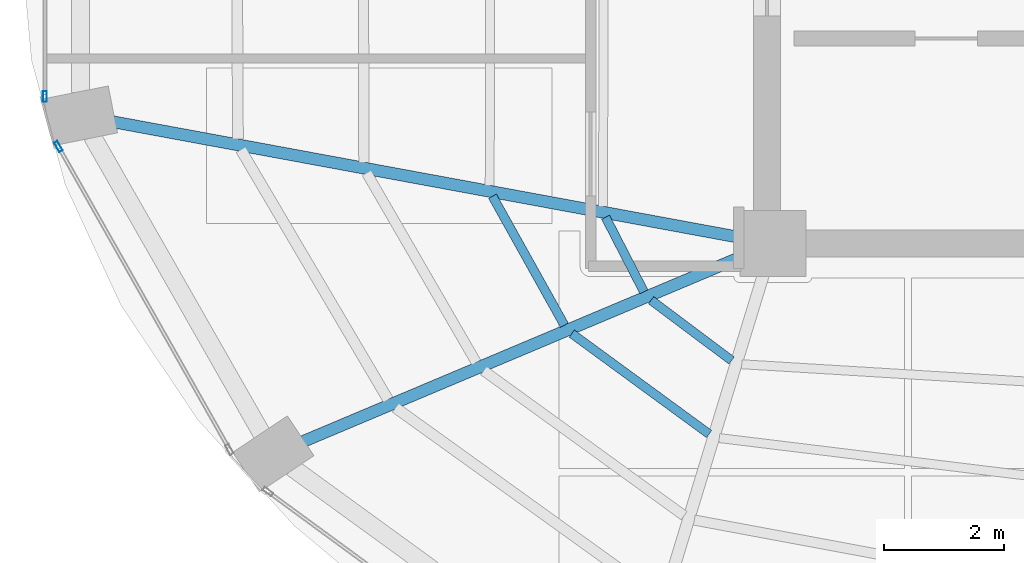
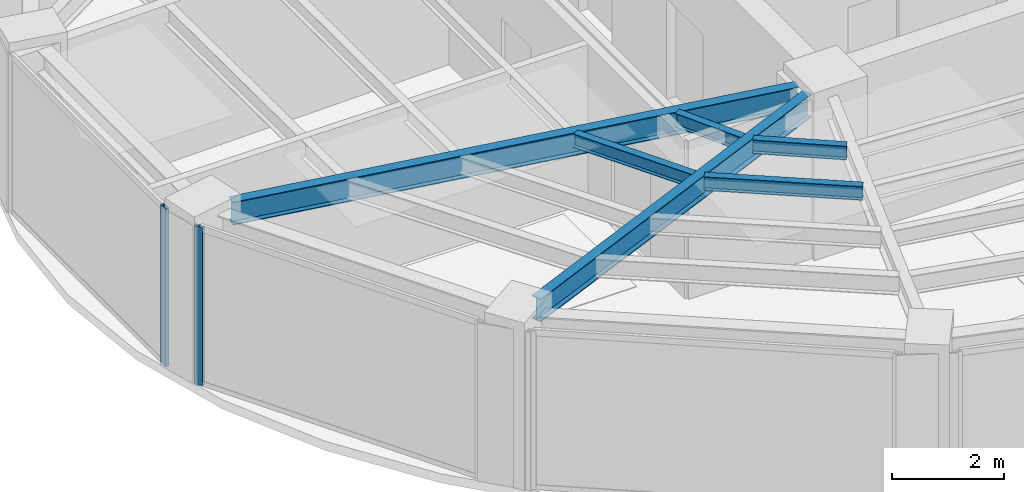
# One storey, part 4 of 23: 6 beams, 2 members, 2 elements without a shape of their own.
"""IFC4 building model written with IfcOpenShell, lengths in metres."""

from ifc_helpers import new_model, si_unit, direction, frame, origin, origin_2d, place, context, subcontext, project, spatial, hollow_rectangle, i_section, extrude, material, layer, layer_set, material_profile, profile_set, type_object, element, aggregate, save


model = new_model("IFC4")

# Units and contexts
model_context = context("Model", 3, precision=1e-05, world=origin(), true_north=direction((0.0, 1.0)))
body_context = subcontext(model_context, "Body", "Model", "MODEL_VIEW")
ifc_project = project(units=[si_unit("LENGTHUNIT", "METRE"), si_unit("AREAUNIT", "SQUARE_METRE"), si_unit("VOLUMEUNIT", "CUBIC_METRE"), si_unit("PLANEANGLEUNIT", "RADIAN"), si_unit("MASSUNIT", "GRAM", prefix="KILO")], contexts=[model_context])

# Site, building, storey
site_placement = place(None, origin())
site = spatial("IfcSite", under=ifc_project, at=site_placement, CompositionType="ELEMENT")
building_placement = place(site_placement, origin())
building = spatial("IfcBuilding", under=site, at=building_placement, Name="Lazwardi Medical Tower", CompositionType="ELEMENT")
storey_placement = place(building_placement, frame((0.0, 0.0, 231.31201171875)))
storey = spatial("IfcBuildingStorey", under=building, at=storey_placement, Name="L60", CompositionType="ELEMENT", Elevation=231.31201171875)

# Beams
ifc_material_1 = material(Name="Steel S355", Category="steel")
ifc_material_profile_1 = material_profile(ifc_material_1, i_section(OverallWidth=0.199951171875, OverallDepth=0.5, WebThickness=0.01025390625, FlangeThickness=0.01611328125, at=origin_2d()), Name="IPE 500")
ifc_profile_set_1 = profile_set([ifc_material_profile_1], Name="Steel S355")
beam_type_1 = type_object("IfcBeamType", Name="BM-RG-W3", PredefinedType="BEAM", material=ifc_profile_set_1)
beam_1_placement = place(storey_placement, frame((15.341064453125, 22.43994140625, 3.197998046875), z_axis=(0.983409341459, -0.181400295288, 0.0), x_axis=(0.181400295288, 0.983409341459, 0.0)))
element("IfcBeam", 1, at=beam_1_placement, inside=storey, type_object=beam_type_1, Name="Radial girder RG-04 R13 L60", PredefinedType="BEAM", context=body_context, shape_type="SweptSolid", body=[
    extrude(i_section(OverallWidth=0.199951171875, OverallDepth=0.5, WebThickness=0.01025390625, FlangeThickness=0.01611328125, at=origin_2d()), origin(), (0.0, 0.0, 1.0), 10.71044921875),
])
beam_2_placement = place(storey_placement, frame((18.533203125, 17.085205078125, 3.197998046875), z_axis=(0.921526791352, 0.388314785735, 0.0), x_axis=(-0.388314785735, 0.921526791352, 0.0)))
element("IfcBeam", 2, at=beam_2_placement, inside=storey, type_object=beam_type_1, Name="Radial girder RG-04 R14 L60", PredefinedType="BEAM", context=body_context, shape_type="SweptSolid", body=[
    extrude(i_section(OverallWidth=0.199951171875, OverallDepth=0.5, WebThickness=0.01025390625, FlangeThickness=0.01611328125, at=origin_2d()), origin(), (0.0, 0.0, 1.0), 8.001708984375),
])
ifc_material_profile_2 = material_profile(ifc_material_1, i_section(OverallWidth=0.14990234375, OverallDepth=0.300048828125, WebThickness=0.007080078125, FlangeThickness=0.0107421875, at=origin_2d()), Name="IPE 300")
ifc_profile_set_2 = profile_set([ifc_material_profile_2], Name="Steel S355")
beam_type_2 = type_object("IfcBeamType", Name="BM-SJ-03", PredefinedType="JOIST", material=ifc_profile_set_2)
beam_3_placement = place(storey_placement, frame((21.70703125, 21.19140625, 3.298095703125), z_axis=(0.487092942089, -0.873350139272, 0.0), x_axis=(0.873350139272, 0.487092942089, 0.0)))
element("IfcBeam", 3, at=beam_3_placement, inside=storey, type_object=beam_type_2, Name="Secondary joist SJ-03 R3 B13 L60", PredefinedType="JOIST", context=body_context, shape_type="SweptSolid", body=[
    extrude(i_section(OverallWidth=0.14990234375, OverallDepth=0.300048828125, WebThickness=0.007080078125, FlangeThickness=0.0107421875, at=origin_2d()), origin(), (0.0, 0.0, 1.0), 2.471923828125),
])
beam_4_placement = place(storey_placement, frame((23.0341796875, 18.893310546875, 3.298095703125), z_axis=(0.80703431267, -0.59050454543, 0.0), x_axis=(0.59050454543, 0.80703431267, 0.0)))
element("IfcBeam", 4, at=beam_4_placement, inside=storey, type_object=beam_type_2, Name="Secondary joist SJ-03 R3 B14 L60", PredefinedType="JOIST", context=body_context, shape_type="SweptSolid", body=[
    extrude(i_section(OverallWidth=0.14990234375, OverallDepth=0.300048828125, WebThickness=0.007080078125, FlangeThickness=0.0107421875, at=origin_2d()), origin(), (0.0, 0.0, 1.0), 2.846923828125),
])
beam_5_placement = place(storey_placement, frame((23.60009765625, 20.840087890625, 3.298095703125), z_axis=(0.457285056668, -0.889320176848, 0.0), x_axis=(0.889320176848, 0.457285056668, 0.0)))
element("IfcBeam", 5, at=beam_5_placement, inside=storey, type_object=beam_type_2, Name="Secondary joist SJ-03 R4 B13 L60", PredefinedType="JOIST", context=body_context, shape_type="SweptSolid", body=[
    extrude(i_section(OverallWidth=0.14990234375, OverallDepth=0.300048828125, WebThickness=0.007080078125, FlangeThickness=0.0107421875, at=origin_2d()), origin(), (0.0, 0.0, 1.0), 1.402099609375),
])
beam_6_placement = place(storey_placement, frame((24.36083984375, 19.451904296875, 3.298095703125), z_axis=(0.800365301971, -0.599512621553, 0.0), x_axis=(0.599512621553, 0.800365301971, 0.0)))
element("IfcBeam", 6, at=beam_6_placement, inside=storey, type_object=beam_type_2, Name="Secondary joist SJ-03 R4 B14 L60", PredefinedType="JOIST", context=body_context, shape_type="SweptSolid", body=[
    extrude(i_section(OverallWidth=0.14990234375, OverallDepth=0.300048828125, WebThickness=0.007080078125, FlangeThickness=0.0107421875, at=origin_2d()), origin(), (0.0, 0.0, 1.0), 1.68359375),
])

# Curtain wall, member
ifc_material_2 = material(Name="Anodised bronze aluminium and solar control glazing", Category="aluminium")
ifc_layer = layer(ifc_material_2, 0.18994140625)
ifc_layer_set = layer_set([ifc_layer], Name="Anodised bronze aluminium and solar control glazing")
curtain_wall_type = type_object("IfcCurtainWallType", Name="CW-SYS-04", PredefinedType="NOTDEFINED", material=ifc_layer_set)
curtain_wall_1_placement = place(storey_placement, origin())
curtain_wall_1 = element("IfcCurtainWall", 7, at=curtain_wall_1_placement, inside=storey, type_object=curtain_wall_type, Name="L60 Unitised bronze curtain wall CW-04", PredefinedType="NOTDEFINED")
ifc_material_3 = material(Name="Anodised bronze aluminium", Category="aluminium")
ifc_material_profile_3 = material_profile(ifc_material_3, hollow_rectangle(XDim=0.06494140625, YDim=0.179931640625, WallThickness=0.00390625, at=origin_2d()), Name="ALU-MULLION 180x65x4")
ifc_profile_set_3 = profile_set([ifc_material_profile_3], Name="Anodised bronze aluminium")
member_type = type_object("IfcMemberType", Name="CW-MUL-03", PredefinedType="MULLION", material=ifc_profile_set_3)
member_1_placement = place(storey_placement, frame((14.2158203125, 22.859619140625, 0.0), z_axis=(0.0, 0.0, 1.0), x_axis=(1.0, 0.0, 0.0)))
member_1 = element("IfcMember", 8, at=member_1_placement, type_object=member_type, Name="CW-04 mullion 2", PredefinedType="MULLION", context=body_context, shape_type="SweptSolid", body=[
    extrude(hollow_rectangle(XDim=0.06494140625, YDim=0.179931640625, WallThickness=0.00390625, at=origin_2d()), origin(), (0.0, 0.0, 1.0), 3.447998046875),
])
aggregate(curtain_wall_1, [member_1])

curtain_wall_2_placement = place(storey_placement, origin())
curtain_wall_2 = element("IfcCurtainWall", 9, at=curtain_wall_2_placement, inside=storey, type_object=curtain_wall_type, Name="L60 Unitised bronze curtain wall CW-04", PredefinedType="NOTDEFINED")
member_2_placement = place(storey_placement, frame((14.442626953125, 22.021728515625, 0.0), z_axis=(0.0, 0.0, 1.0), x_axis=(0.870651436011, 0.491900474661, 0.0)))
member_2 = element("IfcMember", 10, at=member_2_placement, type_object=member_type, Name="CW-04 mullion 1", PredefinedType="MULLION", context=body_context, shape_type="SweptSolid", body=[
    extrude(hollow_rectangle(XDim=0.06494140625, YDim=0.179931640625, WallThickness=0.00390625, at=origin_2d()), origin(), (0.0, 0.0, 1.0), 3.447998046875),
])
aggregate(curtain_wall_2, [member_2])

save(model, "model.ifc")
